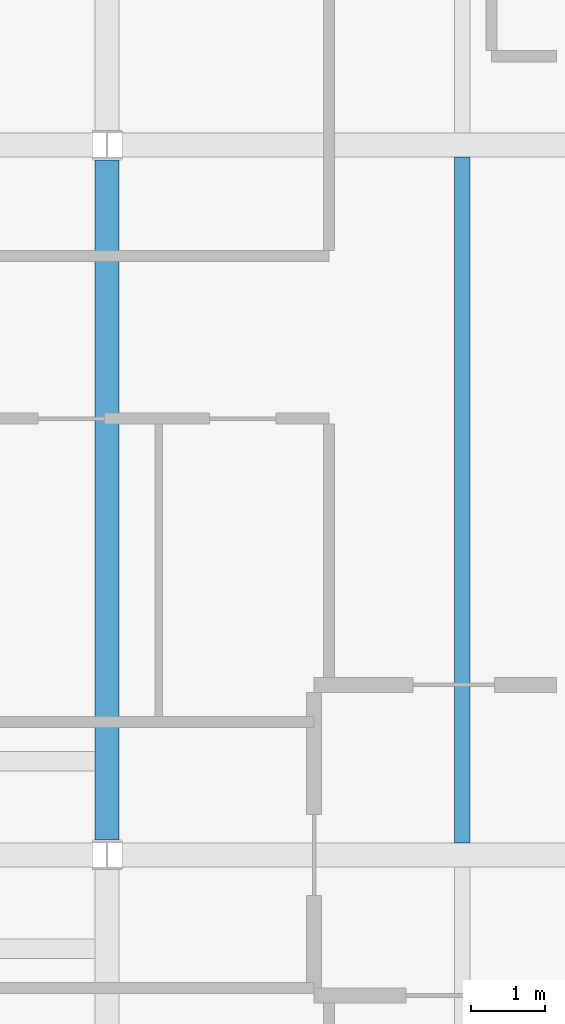
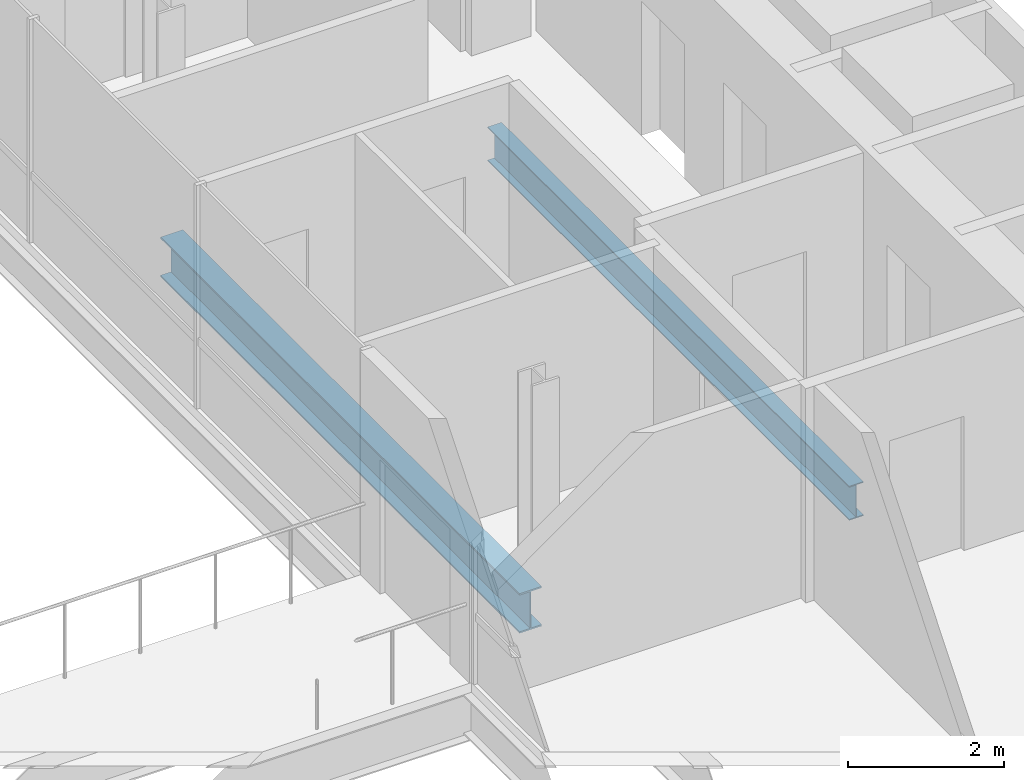
# One storey, part 6 of 20: 2 beams.
"""IFC4 building model written with IfcOpenShell, lengths in metres."""

from ifc_helpers import new_model, si_unit, direction, frame, origin, origin_2d, place, context, subcontext, project, spatial, i_section, extrude, material, material_profile, profile_set, type_object, element, save


model = new_model("IFC4")

# Units and contexts
model_context = context("Model", 3, precision=1e-05, world=origin(), true_north=direction((0.0, 1.0)))
body_context = subcontext(model_context, "Body", "Model", "MODEL_VIEW")
ifc_project = project(units=[si_unit("LENGTHUNIT", "METRE"), si_unit("AREAUNIT", "SQUARE_METRE"), si_unit("VOLUMEUNIT", "CUBIC_METRE"), si_unit("PLANEANGLEUNIT", "RADIAN"), si_unit("MASSUNIT", "GRAM", prefix="KILO")], contexts=[model_context])

# Site, building, storey
site_placement = place(None, origin())
site = spatial("IfcSite", under=ifc_project, at=site_placement, CompositionType="ELEMENT")
building_placement = place(site_placement, origin())
building = spatial("IfcBuilding", under=site, at=building_placement, Name="Cobrizo Arcos Hotel Tower", CompositionType="ELEMENT")
storey_placement = place(building_placement, frame((0.0, 0.0, 124.0)))
storey = spatial("IfcBuildingStorey", under=building, at=storey_placement, Name="L31", CompositionType="ELEMENT", Elevation=124.0)

# Beams
ifc_material = material(Name="Steel ASTM A992 Grade 50", Category="steel")
ifc_material_profile_1 = material_profile(ifc_material, i_section(OverallWidth=0.209228515625, OverallDepth=0.533447265625, WebThickness=0.01025390625, FlangeThickness=0.015625, at=origin_2d()), Name="W21X62")
ifc_profile_set_1 = profile_set([ifc_material_profile_1], Name="Steel ASTM A992 Grade 50")
beam_type_1 = type_object("IfcBeamType", Name="W21X62 joist", PredefinedType="JOIST", material=ifc_profile_set_1)
beam_1_placement = place(storey_placement, frame((14.39990234375, 0.163818359375, -0.416748046875), z_axis=(0.0, 1.0, 0.0), x_axis=(-1.0, 0.0, 0.0)))
element("IfcBeam", 1, at=beam_1_placement, inside=storey, type_object=beam_type_1, Name="Floor joist J1, L31, no. 009", PredefinedType="JOIST", context=body_context, shape_type="SweptSolid", body=[
    extrude(i_section(OverallWidth=0.209228515625, OverallDepth=0.533447265625, WebThickness=0.01025390625, FlangeThickness=0.015625, at=origin_2d()), origin(), (0.0, 0.0, 1.0), 9.272216796875),
])
ifc_material_profile_2 = material_profile(ifc_material, i_section(OverallWidth=0.32763671875, OverallDepth=0.622314453125, WebThickness=0.015380859375, FlangeThickness=0.0244140625, at=origin_2d()), Name="W24X131")
ifc_profile_set_2 = profile_set([ifc_material_profile_2], Name="Steel ASTM A992 Grade 50")
beam_type_2 = type_object("IfcBeamType", Name="W24X131 girder", PredefinedType="BEAM", material=ifc_profile_set_2)
beam_2_placement = place(storey_placement, frame((9.60009765625, 0.199462890625, -0.461181640625), z_axis=(0.0, 1.0, 0.0), x_axis=(-1.0, 0.0, 0.0)))
element("IfcBeam", 2, at=beam_2_placement, inside=storey, type_object=beam_type_2, Name="Floor girder G1, L31, no. 018", PredefinedType="BEAM", context=body_context, shape_type="SweptSolid", body=[
    extrude(i_section(OverallWidth=0.32763671875, OverallDepth=0.622314453125, WebThickness=0.015380859375, FlangeThickness=0.0244140625, at=origin_2d()), origin(), (0.0, 0.0, 1.0), 9.201171875),
])

save(model, "model.ifc")
